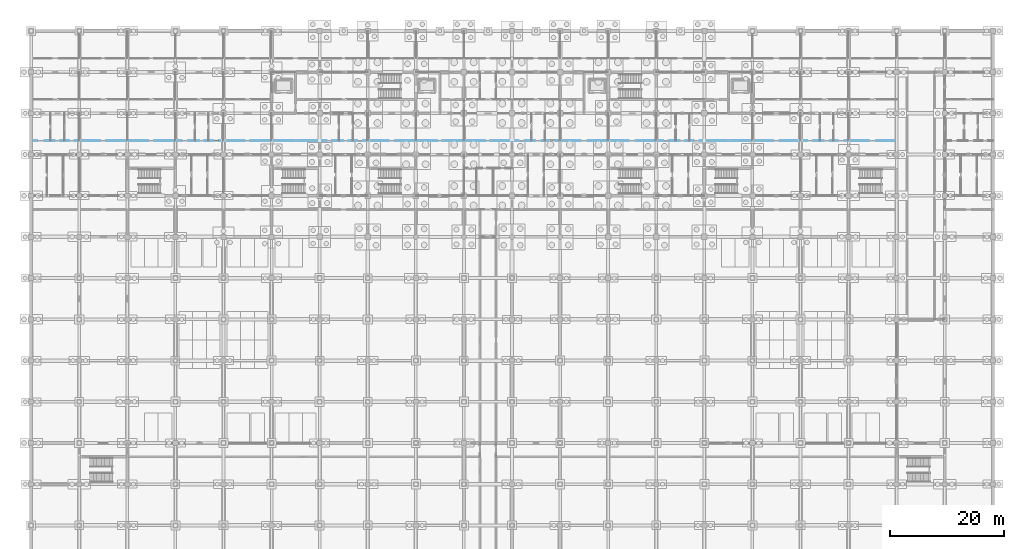
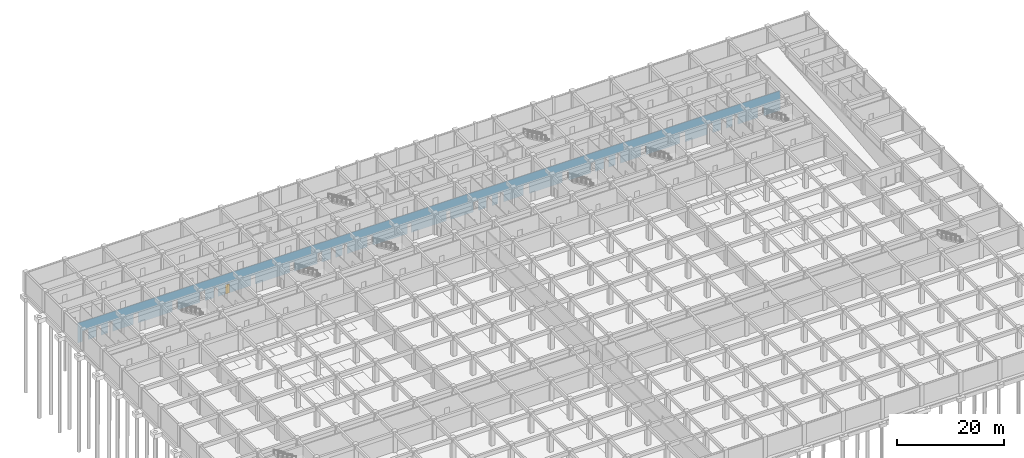
# One storey, part 48 of 85: 1 door, 30 openings, plus 1 element that does not belong to this part.
"""IFC4 building model written with IfcOpenShell, lengths in metres."""

from ifc_helpers import new_model, si_unit, direction, frame, frame_2d, origin, place, context, subcontext, project, spatial, rectangle, extrude, material, layer, layer_set, type_object, element, fill, save


model = new_model("IFC4")

# Units and contexts
model_context = context("Model", 3, precision=1e-05, world=origin(), true_north=direction((0.0, 1.0)))
body_context = subcontext(model_context, "Body", "Model", "MODEL_VIEW")
ifc_project = project(units=[si_unit("LENGTHUNIT", "METRE"), si_unit("AREAUNIT", "SQUARE_METRE"), si_unit("VOLUMEUNIT", "CUBIC_METRE"), si_unit("PLANEANGLEUNIT", "RADIAN"), si_unit("MASSUNIT", "GRAM", prefix="KILO")], contexts=[model_context])

# Site, building, storey
site_placement = place(None, origin())
site = spatial("IfcSite", under=ifc_project, at=site_placement, CompositionType="ELEMENT")
building_placement = place(site_placement, origin())
building = spatial("IfcBuilding", under=site, at=building_placement, Name="Chengyuan Square Courthouse", CompositionType="ELEMENT")
storey_placement = place(building_placement, frame((0.0, 0.0, -10.199951171875)))
storey = spatial("IfcBuildingStorey", under=building, at=storey_placement, Name="B02", CompositionType="ELEMENT", Elevation=-10.199951171875)

# Wall, openings, door
ifc_material_1 = material(Name="Gypsum Plasterboard Acoustic Stud Partition")
ifc_layer = layer(ifc_material_1, 0.10009765625)
ifc_layer_set = layer_set([ifc_layer], Name="Gypsum Plasterboard Acoustic Stud Partition")
wall_type = type_object("IfcWallType", Name="WL-PT6", PredefinedType="STANDARD", material=ifc_layer_set)
wall_placement = place(storey_placement, frame((0.0400390625, 96.0, 0.0), z_axis=(0.0, 0.0, 1.0), x_axis=(1.0, 0.0, 0.0)))
wall = element("IfcWall", 1, at=wall_placement, inside=storey, type_object=wall_type, Name="Interior Wall WL-B02-I062", PredefinedType="STANDARD", context=body_context, shape_type="SweptSolid", body=[
    extrude(rectangle(XDim=151.159912109375, YDim=0.10009765625, at=frame_2d((75.580078125, 0.0))), origin(), (0.0, 0.0, 1.0), 4.47998046875),
])
opening_1_placement = place(wall_placement, frame((1.0400390625, 0.0, 0.0)))
element("IfcOpeningElement", 2, at=opening_1_placement, cuts=wall, Name="Opening DR-148", PredefinedType="OPENING", context=body_context, shape_type="SweptSolid", body=[
    extrude(rectangle(XDim=1.280029296875, YDim=2.35009765625, at=frame_2d((0.64013671875, 1.175048828125))), frame((0.0, 0.06201171875, 0.0), z_axis=(0.0, -1.0, 0.0), x_axis=(1.0, 0.0, 0.0)), (0.0, 0.0, 1.0), 0.1240234375),
])
opening_2_placement = place(wall_placement, frame((4.090087890625, 0.0, 0.0)))
element("IfcOpeningElement", 3, at=opening_2_placement, cuts=wall, Name="Opening DR-149", PredefinedType="OPENING", context=body_context, shape_type="SweptSolid", body=[
    extrude(rectangle(XDim=0.93994140625, YDim=2.300048828125, at=frame_2d((0.469970703125, 1.14990234375))), frame((0.0, 0.06201171875, 0.0), z_axis=(0.0, -1.0, 0.0), x_axis=(1.0, 0.0, 0.0)), (0.0, 0.0, 1.0), 0.1240234375),
])
opening_3_placement = place(wall_placement, frame((6.570068359375, 0.0, 0.0)))
element("IfcOpeningElement", 4, at=opening_3_placement, cuts=wall, Name="Opening DR-150", PredefinedType="OPENING", context=body_context, shape_type="SweptSolid", body=[
    extrude(rectangle(XDim=0.97998046875, YDim=2.35009765625, at=frame_2d((0.489990234375, 1.175048828125))), frame((0.0, 0.06201171875, 0.0), z_axis=(0.0, -1.0, 0.0), x_axis=(1.0, 0.0, 0.0)), (0.0, 0.0, 1.0), 0.1240234375),
])
opening_4_placement = place(wall_placement, frame((12.050048828125, 0.0, 0.0)))
element("IfcOpeningElement", 5, at=opening_4_placement, cuts=wall, Name="Opening DR-151", PredefinedType="OPENING", context=body_context, shape_type="SweptSolid", body=[
    extrude(rectangle(XDim=1.02001953125, YDim=2.39990234375, at=frame_2d((0.510009765625, 1.199951171875))), frame((0.0, 0.06201171875, 0.0), z_axis=(0.0, -1.0, 0.0), x_axis=(1.0, 0.0, 0.0)), (0.0, 0.0, 1.0), 0.1240234375),
])
opening_5_placement = place(wall_placement, frame((20.429931640625, 0.0, 0.0)))
element("IfcOpeningElement", 6, at=opening_5_placement, cuts=wall, Name="Opening DR-152", PredefinedType="OPENING", context=body_context, shape_type="SweptSolid", body=[
    extrude(rectangle(XDim=1.06005859375, YDim=2.39990234375, at=frame_2d((0.530029296875, 1.199951171875))), frame((0.0, 0.06201171875, 0.0), z_axis=(0.0, -1.0, 0.0), x_axis=(1.0, 0.0, 0.0)), (0.0, 0.0, 1.0), 0.1240234375),
])
opening_6_placement = place(wall_placement, frame((26.2900390625, 0.0, 0.0)))
element("IfcOpeningElement", 7, at=opening_6_placement, cuts=wall, Name="Opening DR-153", PredefinedType="OPENING", context=body_context, shape_type="SweptSolid", body=[
    extrude(rectangle(XDim=1.139892578125, YDim=2.39990234375, at=frame_2d((0.56982421875, 1.199951171875))), frame((0.0, 0.06201171875, 0.0), z_axis=(0.0, -1.0, 0.0), x_axis=(1.0, 0.0, 0.0)), (0.0, 0.0, 1.0), 0.1240234375),
])
opening_7_placement = place(wall_placement, frame((29.31005859375, 0.0, 0.0)))
element("IfcOpeningElement", 8, at=opening_7_placement, cuts=wall, Name="Opening DR-154", PredefinedType="OPENING", context=body_context, shape_type="SweptSolid", body=[
    extrude(rectangle(XDim=0.89990234375, YDim=2.14990234375, at=frame_2d((0.449951171875, 1.074951171875))), frame((0.0, 0.06201171875, 0.0), z_axis=(0.0, -1.0, 0.0), x_axis=(1.0, 0.0, 0.0)), (0.0, 0.0, 1.0), 0.1240234375),
])
opening_8_placement = place(wall_placement, frame((31.830078125, 0.0, 0.0)))
opening_8 = element("IfcOpeningElement", 9, at=opening_8_placement, cuts=wall, Name="Opening DR-155", PredefinedType="OPENING", context=body_context, shape_type="SweptSolid", body=[
    extrude(rectangle(XDim=0.860107421875, YDim=2.10009765625, at=frame_2d((0.43017578125, 1.050048828125))), frame((0.0, 0.06201171875, 0.0), z_axis=(0.0, -1.0, 0.0), x_axis=(1.0, 0.0, 0.0)), (0.0, 0.0, 1.0), 0.1240234375),
])
opening_9_placement = place(wall_placement, frame((37.300048828125, 0.0, 0.0)))
element("IfcOpeningElement", 10, at=opening_9_placement, cuts=wall, Name="Opening DR-156", PredefinedType="OPENING", context=body_context, shape_type="SweptSolid", body=[
    extrude(rectangle(XDim=0.919921875, YDim=2.14990234375, at=frame_2d((0.4599609375, 1.074951171875))), frame((0.0, 0.06201171875, 0.0), z_axis=(0.0, -1.0, 0.0), x_axis=(1.0, 0.0, 0.0)), (0.0, 0.0, 1.0), 0.1240234375),
])
opening_10_placement = place(wall_placement, frame((45.679931640625, 0.0, 0.0)))
element("IfcOpeningElement", 11, at=opening_10_placement, cuts=wall, Name="Opening DR-157", PredefinedType="OPENING", context=body_context, shape_type="SweptSolid", body=[
    extrude(rectangle(XDim=0.9599609375, YDim=2.199951171875, at=frame_2d((0.47998046875, 1.10009765625))), frame((0.0, 0.06201171875, 0.0), z_axis=(0.0, -1.0, 0.0), x_axis=(1.0, 0.0, 0.0)), (0.0, 0.0, 1.0), 0.1240234375),
])
opening_11_placement = place(wall_placement, frame((51.570068359375, 0.0, 0.0)))
element("IfcOpeningElement", 12, at=opening_11_placement, cuts=wall, Name="Opening DR-167", PredefinedType="OPENING", context=body_context, shape_type="SweptSolid", body=[
    extrude(rectangle(XDim=0.97998046875, YDim=2.35009765625, at=frame_2d((0.489990234375, 1.175048828125))), frame((0.0, 0.06201171875, 0.0), z_axis=(0.0, -1.0, 0.0), x_axis=(1.0, 0.0, 0.0)), (0.0, 0.0, 1.0), 0.1240234375),
])
opening_12_placement = place(wall_placement, frame((54.449951171875, 0.0, 0.0)))
element("IfcOpeningElement", 13, at=opening_12_placement, cuts=wall, Name="Opening DR-168", PredefinedType="OPENING", context=body_context, shape_type="SweptSolid", body=[
    extrude(rectangle(XDim=1.02001953125, YDim=2.39990234375, at=frame_2d((0.510009765625, 1.199951171875))), frame((0.0, 0.06201171875, 0.0), z_axis=(0.0, -1.0, 0.0), x_axis=(1.0, 0.0, 0.0)), (0.0, 0.0, 1.0), 0.1240234375),
])
opening_13_placement = place(wall_placement, frame((56.929931640625, 0.0, 0.0)))
element("IfcOpeningElement", 14, at=opening_13_placement, cuts=wall, Name="Opening DR-169", PredefinedType="OPENING", context=body_context, shape_type="SweptSolid", body=[
    extrude(rectangle(XDim=1.06005859375, YDim=2.39990234375, at=frame_2d((0.530029296875, 1.199951171875))), frame((0.0, 0.06201171875, 0.0), z_axis=(0.0, -1.0, 0.0), x_axis=(1.0, 0.0, 0.0)), (0.0, 0.0, 1.0), 0.1240234375),
])
opening_14_placement = place(wall_placement, frame((62.389892578125, 0.0, 0.0)))
element("IfcOpeningElement", 15, at=opening_14_placement, cuts=wall, Name="Opening DR-170", PredefinedType="OPENING", context=body_context, shape_type="SweptSolid", body=[
    extrude(rectangle(XDim=1.139892578125, YDim=2.39990234375, at=frame_2d((0.56982421875, 1.199951171875))), frame((0.0, 0.06201171875, 0.0), z_axis=(0.0, -1.0, 0.0), x_axis=(1.0, 0.0, 0.0)), (0.0, 0.0, 1.0), 0.1240234375),
])
opening_15_placement = place(wall_placement, frame((70.909912109375, 0.0, 0.0)))
element("IfcOpeningElement", 16, at=opening_15_placement, cuts=wall, Name="Opening DR-171", PredefinedType="OPENING", context=body_context, shape_type="SweptSolid", body=[
    extrude(rectangle(XDim=0.89990234375, YDim=2.14990234375, at=frame_2d((0.449951171875, 1.074951171875))), frame((0.0, 0.06201171875, 0.0), z_axis=(0.0, -1.0, 0.0), x_axis=(1.0, 0.0, 0.0)), (0.0, 0.0, 1.0), 0.1240234375),
])
opening_16_placement = place(wall_placement, frame((79.330078125, 0.0, 0.0)))
element("IfcOpeningElement", 17, at=opening_16_placement, cuts=wall, Name="Opening DR-172", PredefinedType="OPENING", context=body_context, shape_type="SweptSolid", body=[
    extrude(rectangle(XDim=0.860107421875, YDim=2.10009765625, at=frame_2d((0.43017578125, 1.050048828125))), frame((0.0, 0.06201171875, 0.0), z_axis=(0.0, -1.0, 0.0), x_axis=(1.0, 0.0, 0.0)), (0.0, 0.0, 1.0), 0.1240234375),
])
opening_17_placement = place(wall_placement, frame((85.10009765625, 0.0, 0.0)))
element("IfcOpeningElement", 18, at=opening_17_placement, cuts=wall, Name="Opening DR-178", PredefinedType="OPENING", context=body_context, shape_type="SweptSolid", body=[
    extrude(rectangle(XDim=1.1201171875, YDim=2.25, at=frame_2d((0.56005859375, 1.125))), frame((0.0, 0.06201171875, 0.0), z_axis=(0.0, -1.0, 0.0), x_axis=(1.0, 0.0, 0.0)), (0.0, 0.0, 1.0), 0.1240234375),
])
opening_18_placement = place(wall_placement, frame((87.97998046875, 0.0, 0.0)))
element("IfcOpeningElement", 19, at=opening_18_placement, cuts=wall, Name="Opening DR-179", PredefinedType="OPENING", context=body_context, shape_type="SweptSolid", body=[
    extrude(rectangle(XDim=1.159912109375, YDim=2.300048828125, at=frame_2d((0.580078125, 1.14990234375))), frame((0.0, 0.06201171875, 0.0), z_axis=(0.0, -1.0, 0.0), x_axis=(1.0, 0.0, 0.0)), (0.0, 0.0, 1.0), 0.1240234375),
])
opening_19_placement = place(wall_placement, frame((90.4599609375, 0.0, 0.0)))
element("IfcOpeningElement", 20, at=opening_19_placement, cuts=wall, Name="Opening DR-180", PredefinedType="OPENING", context=body_context, shape_type="SweptSolid", body=[
    extrude(rectangle(XDim=1.199951171875, YDim=2.35009765625, at=frame_2d((0.60009765625, 1.175048828125))), frame((0.0, 0.06201171875, 0.0), z_axis=(0.0, -1.0, 0.0), x_axis=(1.0, 0.0, 0.0)), (0.0, 0.0, 1.0), 0.1240234375),
])
opening_20_placement = place(wall_placement, frame((95.93994140625, 0.0, 0.0)))
element("IfcOpeningElement", 21, at=opening_20_placement, cuts=wall, Name="Opening DR-181", PredefinedType="OPENING", context=body_context, shape_type="SweptSolid", body=[
    extrude(rectangle(XDim=1.239990234375, YDim=2.300048828125, at=frame_2d((0.6201171875, 1.14990234375))), frame((0.0, 0.06201171875, 0.0), z_axis=(0.0, -1.0, 0.0), x_axis=(1.0, 0.0, 0.0)), (0.0, 0.0, 1.0), 0.1240234375),
])
opening_21_placement = place(wall_placement, frame((104.320068359375, 0.0, 0.0)))
element("IfcOpeningElement", 22, at=opening_21_placement, cuts=wall, Name="Opening DR-182", PredefinedType="OPENING", context=body_context, shape_type="SweptSolid", body=[
    extrude(rectangle(XDim=1.280029296875, YDim=2.35009765625, at=frame_2d((0.64013671875, 1.175048828125))), frame((0.0, 0.06201171875, 0.0), z_axis=(0.0, -1.0, 0.0), x_axis=(1.0, 0.0, 0.0)), (0.0, 0.0, 1.0), 0.1240234375),
])
opening_22_placement = place(wall_placement, frame((110.389892578125, 0.0, 0.0)))
element("IfcOpeningElement", 23, at=opening_22_placement, cuts=wall, Name="Opening DR-183", PredefinedType="OPENING", context=body_context, shape_type="SweptSolid", body=[
    extrude(rectangle(XDim=0.93994140625, YDim=2.300048828125, at=frame_2d((0.469970703125, 1.14990234375))), frame((0.0, 0.06201171875, 0.0), z_axis=(0.0, -1.0, 0.0), x_axis=(1.0, 0.0, 0.0)), (0.0, 0.0, 1.0), 0.1240234375),
])
opening_23_placement = place(wall_placement, frame((113.27001953125, 0.0, 0.0)))
element("IfcOpeningElement", 24, at=opening_23_placement, cuts=wall, Name="Opening DR-184", PredefinedType="OPENING", context=body_context, shape_type="SweptSolid", body=[
    extrude(rectangle(XDim=0.97998046875, YDim=2.35009765625, at=frame_2d((0.489990234375, 1.175048828125))), frame((0.0, 0.06201171875, 0.0), z_axis=(0.0, -1.0, 0.0), x_axis=(1.0, 0.0, 0.0)), (0.0, 0.0, 1.0), 0.1240234375),
])
opening_24_placement = place(wall_placement, frame((115.75, 0.0, 0.0)))
element("IfcOpeningElement", 25, at=opening_24_placement, cuts=wall, Name="Opening DR-185", PredefinedType="OPENING", context=body_context, shape_type="SweptSolid", body=[
    extrude(rectangle(XDim=1.02001953125, YDim=2.39990234375, at=frame_2d((0.510009765625, 1.199951171875))), frame((0.0, 0.06201171875, 0.0), z_axis=(0.0, -1.0, 0.0), x_axis=(1.0, 0.0, 0.0)), (0.0, 0.0, 1.0), 0.1240234375),
])
opening_25_placement = place(wall_placement, frame((121.239990234375, 0.0, 0.0)))
element("IfcOpeningElement", 26, at=opening_25_placement, cuts=wall, Name="Opening DR-193", PredefinedType="OPENING", context=body_context, shape_type="SweptSolid", body=[
    extrude(rectangle(XDim=1.0400390625, YDim=2.199951171875, at=frame_2d((0.52001953125, 1.10009765625))), frame((0.0, 0.06201171875, 0.0), z_axis=(0.0, -1.0, 0.0), x_axis=(1.0, 0.0, 0.0)), (0.0, 0.0, 1.0), 0.1240234375),
])
opening_26_placement = place(wall_placement, frame((129.6201171875, 0.0, 0.0)))
element("IfcOpeningElement", 27, at=opening_26_placement, cuts=wall, Name="Opening DR-194", PredefinedType="OPENING", context=body_context, shape_type="SweptSolid", body=[
    extrude(rectangle(XDim=1.080078125, YDim=2.25, at=frame_2d((0.5400390625, 1.125))), frame((0.0, 0.06201171875, 0.0), z_axis=(0.0, -1.0, 0.0), x_axis=(1.0, 0.0, 0.0)), (0.0, 0.0, 1.0), 0.1240234375),
])
opening_27_placement = place(wall_placement, frame((135.5, 0.0, 0.0)))
element("IfcOpeningElement", 28, at=opening_27_placement, cuts=wall, Name="Opening DR-195", PredefinedType="OPENING", context=body_context, shape_type="SweptSolid", body=[
    extrude(rectangle(XDim=1.1201171875, YDim=2.25, at=frame_2d((0.56005859375, 1.125))), frame((0.0, 0.06201171875, 0.0), z_axis=(0.0, -1.0, 0.0), x_axis=(1.0, 0.0, 0.0)), (0.0, 0.0, 1.0), 0.1240234375),
])
opening_28_placement = place(wall_placement, frame((138.3798828125, 0.0, 0.0)))
element("IfcOpeningElement", 29, at=opening_28_placement, cuts=wall, Name="Opening DR-196", PredefinedType="OPENING", context=body_context, shape_type="SweptSolid", body=[
    extrude(rectangle(XDim=1.159912109375, YDim=2.300048828125, at=frame_2d((0.580078125, 1.14990234375))), frame((0.0, 0.06201171875, 0.0), z_axis=(0.0, -1.0, 0.0), x_axis=(1.0, 0.0, 0.0)), (0.0, 0.0, 1.0), 0.1240234375),
])
opening_29_placement = place(wall_placement, frame((140.860107421875, 0.0, 0.0)))
element("IfcOpeningElement", 30, at=opening_29_placement, cuts=wall, Name="Opening DR-197", PredefinedType="OPENING", context=body_context, shape_type="SweptSolid", body=[
    extrude(rectangle(XDim=1.199951171875, YDim=2.35009765625, at=frame_2d((0.60009765625, 1.175048828125))), frame((0.0, 0.06201171875, 0.0), z_axis=(0.0, -1.0, 0.0), x_axis=(1.0, 0.0, 0.0)), (0.0, 0.0, 1.0), 0.1240234375),
])
opening_30_placement = place(wall_placement, frame((146.340087890625, 0.0, 0.0)))
element("IfcOpeningElement", 31, at=opening_30_placement, cuts=wall, Name="Opening DR-198", PredefinedType="OPENING", context=body_context, shape_type="SweptSolid", body=[
    extrude(rectangle(XDim=1.239990234375, YDim=2.300048828125, at=frame_2d((0.6201171875, 1.14990234375))), frame((0.0, 0.06201171875, 0.0), z_axis=(0.0, -1.0, 0.0), x_axis=(1.0, 0.0, 0.0)), (0.0, 0.0, 1.0), 0.1240234375),
])
ifc_material_2 = material(Name="Acoustic Solid-Core Timber Door", Category="wood")
door_type = type_object("IfcDoorType", Name="DT-28", OperationType="NOTDEFINED", PredefinedType="DOOR", material=ifc_material_2)
door_placement = place(opening_8_placement, origin())
door = element("IfcDoor", 32, at=door_placement, inside=storey, type_object=door_type, Name="Interior Door DR-155", OperationType="SINGLE_SWING_RIGHT", OverallHeight=2.10009765625, OverallWidth=0.860107421875, PredefinedType="DOOR", context=body_context, shape_type="SweptSolid", body=[
    extrude(rectangle(XDim=0.860107421875, YDim=2.10009765625, at=frame_2d((0.43017578125, 1.050048828125))), frame((0.0, 0.02490234375, 0.0), z_axis=(0.0, -1.0, 0.0), x_axis=(1.0, 0.0, 0.0)), (0.0, 0.0, 1.0), 0.050048828125),
])
fill(opening_8, door)

save(model, "model.ifc")
